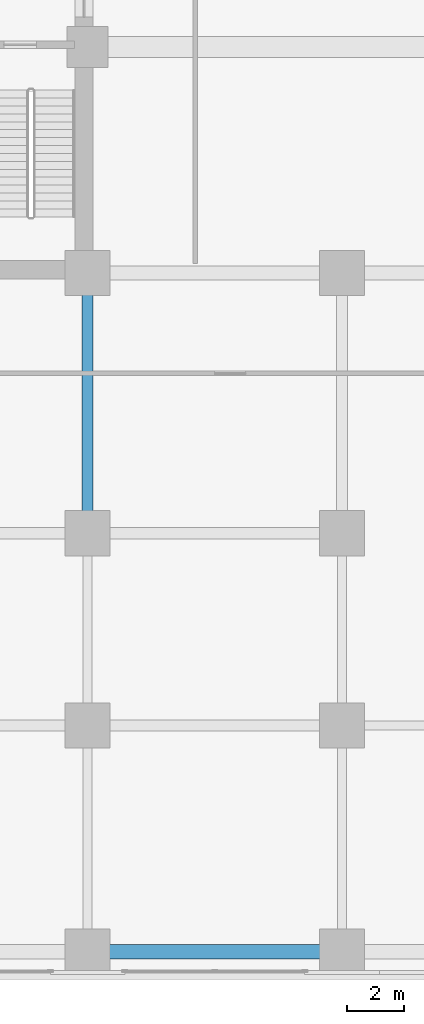
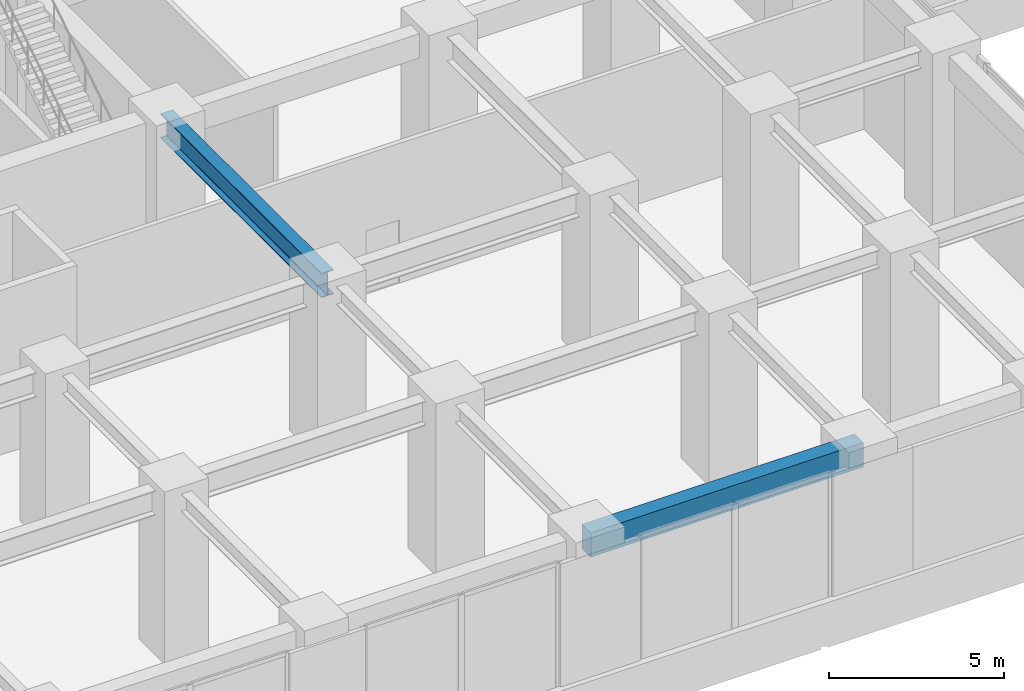
# One storey, part 8 of 34: 2 beams.
"""IFC4 building model written with IfcOpenShell, lengths in metres."""

from ifc_helpers import new_model, si_unit, direction, frame, origin, origin_2d, place, context, subcontext, project, spatial, rectangle, i_section, extrude, source, transform, mapped, material, material_profile, profile_set, type_object, element, save


model = new_model("IFC4")

# Units and contexts
model_context = context("Model", 3, precision=1e-05, world=origin(), true_north=direction((0.0, 1.0)))
body_context = subcontext(model_context, "Body", "Model", "MODEL_VIEW")
ifc_project = project(units=[si_unit("LENGTHUNIT", "METRE"), si_unit("AREAUNIT", "SQUARE_METRE"), si_unit("VOLUMEUNIT", "CUBIC_METRE"), si_unit("PLANEANGLEUNIT", "RADIAN"), si_unit("MASSUNIT", "GRAM", prefix="KILO")], contexts=[model_context])

# Site, building, storey
site_placement = place(None, origin())
site = spatial("IfcSite", under=ifc_project, at=site_placement, CompositionType="ELEMENT")
building_placement = place(site_placement, origin())
building = spatial("IfcBuilding", under=site, at=building_placement, Name="Torre Montelarca", CompositionType="ELEMENT")
storey_placement = place(building_placement, frame((0.0, 0.0, 6.0)))
storey = spatial("IfcBuildingStorey", under=building, at=storey_placement, Name="L02", CompositionType="ELEMENT", Elevation=6.0)

# Beams
ifc_material_1 = material(Name="Concrete C55/67", Category="concrete")
ifc_material_profile_1 = material_profile(ifc_material_1, rectangle(XDim=0.5, YDim=0.85009765625, at=origin_2d()), Name="RCB500X850", Category="concrete")
ifc_profile_set_1 = profile_set([ifc_material_profile_1], Name="Concrete C55/67")
beam_type_1 = type_object("IfcBeamType", Name="BM-SP-RC850-EXT", PredefinedType="SPANDREL", material=ifc_profile_set_1)
shared_shape_1 = source(origin(), body_context, "Body", "SweptSolid", [
    extrude(rectangle(XDim=0.5, YDim=0.85009765625, at=origin_2d()), origin(), (0.0, 0.0, 1.0), 9.0),
])
beam_1_placement = place(storey_placement, frame((27.0, 0.0, 5.31494140625), z_axis=(1.0, 0.0, 0.0), x_axis=(0.0, 1.0, 0.0)))
element("IfcBeam", 1, at=beam_1_placement, inside=storey, type_object=beam_type_1, Name="L02 Grid Girder X 27.0-36.0 at Y=0.0", PredefinedType="SPANDREL", context=body_context, shape_type="MappedRepresentation", body=[
    mapped(shared_shape_1, transform((0.0, 0.0, 0.0), scale=1.0)),
])
ifc_material_2 = material(Name="Steel ASTM A992 Grade 50", Category="steel")
ifc_material_profile_2 = material_profile(ifc_material_2, i_section(OverallWidth=0.39990234375, OverallDepth=0.85498046875, WebThickness=0.018310546875, FlangeThickness=0.029296875, FilletRadius=0.02001953125, at=origin_2d()), Name="W840X299", Category="steel")
ifc_profile_set_2 = profile_set([ifc_material_profile_2], Name="Steel ASTM A992 Grade 50")
beam_type_2 = type_object("IfcBeamType", Name="BM-G-W840", PredefinedType="BEAM", material=ifc_profile_set_2)
shared_shape_2 = source(origin(), body_context, "Body", "SweptSolid", [
    extrude(i_section(OverallWidth=0.39990234375, OverallDepth=0.85498046875, WebThickness=0.018310546875, FlangeThickness=0.029296875, FilletRadius=0.02001953125, at=origin_2d()), origin(), (0.0, 0.0, 1.0), 9.199951171875),
])
beam_2_placement = place(storey_placement, frame((27.0, 14.800048828125, 5.31201171875), z_axis=(0.0, 1.0, 0.0), x_axis=(-1.0, 0.0, 0.0)))
element("IfcBeam", 2, at=beam_2_placement, inside=storey, type_object=beam_type_2, Name="L02 Grid Girder Y 14.8-24.0 at X=27.0", PredefinedType="BEAM", context=body_context, shape_type="MappedRepresentation", body=[
    mapped(shared_shape_2, transform((0.0, 0.0, 0.0), scale=1.0)),
])

save(model, "model.ifc")
